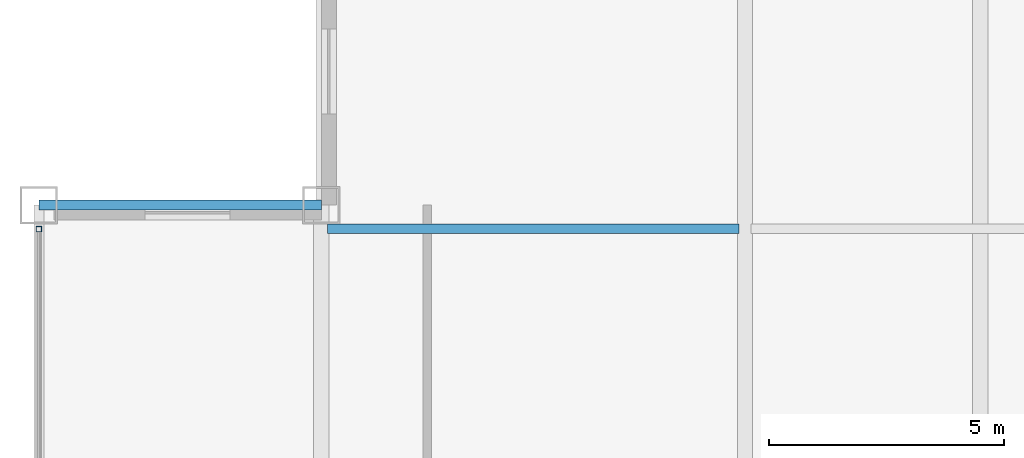
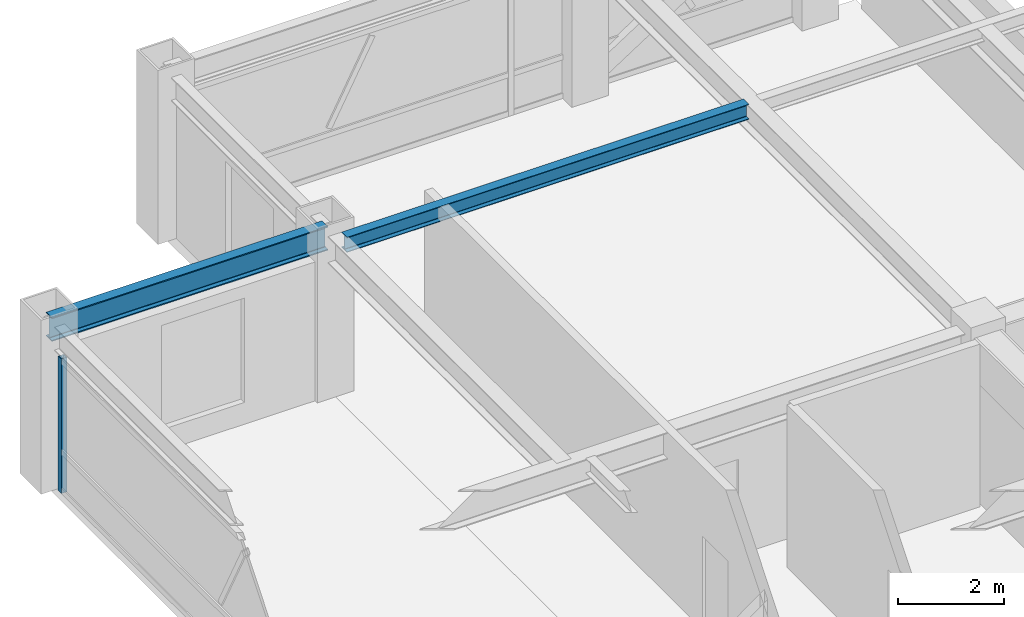
# One storey, part 17 of 29: 2 beams, 1 member, 1 element without a shape of its own.
"""IFC4 building model written with IfcOpenShell, lengths in metres."""

from ifc_helpers import new_model, si_unit, direction, frame, origin, origin_2d, place, context, subcontext, project, spatial, hollow_rectangle, i_section, extrude, source, transform, mapped, material, material_profile, profile_set, type_object, element, aggregate, save


model = new_model("IFC4")

# Units and contexts
model_context = context("Model", 3, precision=1e-05, world=origin(), true_north=direction((0.0, 1.0)))
body_context = subcontext(model_context, "Body", "Model", "MODEL_VIEW")
ifc_project = project(units=[si_unit("LENGTHUNIT", "METRE"), si_unit("AREAUNIT", "SQUARE_METRE"), si_unit("VOLUMEUNIT", "CUBIC_METRE"), si_unit("PLANEANGLEUNIT", "RADIAN"), si_unit("MASSUNIT", "GRAM", prefix="KILO")], contexts=[model_context])

# Site, building, storey
site_placement = place(None, origin())
site = spatial("IfcSite", under=ifc_project, at=site_placement, CompositionType="ELEMENT")
building_placement = place(site_placement, origin())
building = spatial("IfcBuilding", under=site, at=building_placement, Name="Khorayat Bourse Tower", CompositionType="ELEMENT")
storey_placement = place(building_placement, frame((0.0, 0.0, 354.300048828125)))
storey = spatial("IfcBuildingStorey", under=building, at=storey_placement, Name="L84", CompositionType="ELEMENT", Elevation=354.300048828125)

# Beams
ifc_material_1 = material(Name="Steel ASTM A992 Grade 50", Category="steel")
ifc_material_profile_1 = material_profile(ifc_material_1, i_section(OverallWidth=0.214111328125, OverallDepth=0.549072265625, WebThickness=0.0146484375, FlangeThickness=0.023681640625, FilletRadius=0.013916015625, at=origin_2d()), Name="W530X138")
ifc_profile_set_1 = profile_set([ifc_material_profile_1], Name="Steel ASTM A992 Grade 50")
beam_type_1 = type_object("IfcBeamType", Name="BM-SPAN-530", PredefinedType="SPANDREL", material=ifc_profile_set_1)
shared_shape_1 = source(origin(), body_context, "Body", "SweptSolid", [
    extrude(i_section(OverallWidth=0.214111328125, OverallDepth=0.549072265625, WebThickness=0.0146484375, FlangeThickness=0.023681640625, FilletRadius=0.013916015625, at=origin_2d()), origin(), (0.0, 0.0, 1.0), 6.0),
])
beam_1_placement = place(storey_placement, frame((-26.0, 20.0, 3.46533203125), z_axis=(1.0, 0.0, 0.0), x_axis=(0.0, 1.0, 0.0)))
element("IfcBeam", 1, at=beam_1_placement, inside=storey, type_object=beam_type_1, Name="L84 BM-SPAN-530 BM-L84-SPN-047", PredefinedType="SPANDREL", context=body_context, shape_type="MappedRepresentation", body=[
    mapped(shared_shape_1, transform((0.0, 0.0, 0.0), scale=1.0)),
])
ifc_material_profile_2 = material_profile(ifc_material_1, i_section(OverallWidth=0.202880859375, OverallDepth=0.346923828125, WebThickness=0.0078125, FlangeThickness=0.013427734375, FilletRadius=0.010009765625, at=origin_2d()), Name="W360X64")
ifc_profile_set_2 = profile_set([ifc_material_profile_2], Name="Steel ASTM A992 Grade 50")
beam_type_2 = type_object("IfcBeamType", Name="BM-JOIST-360", PredefinedType="JOIST", material=ifc_profile_set_2)
shared_shape_2 = source(origin(), body_context, "Body", "SweptSolid", [
    extrude(i_section(OverallWidth=0.202880859375, OverallDepth=0.346923828125, WebThickness=0.0078125, FlangeThickness=0.013427734375, FilletRadius=0.010009765625, at=origin_2d()), origin(), (0.0, 0.0, 1.0), 8.740234375),
])
beam_2_placement = place(storey_placement, frame((-19.8701171875, 19.5, 3.56640625), z_axis=(1.0, 0.0, 0.0), x_axis=(0.0, 1.0, 0.0)))
element("IfcBeam", 2, at=beam_2_placement, inside=storey, type_object=beam_type_2, Name="L84 BM-JOIST-360 BM-L84-JSTX-083", PredefinedType="JOIST", context=body_context, shape_type="MappedRepresentation", body=[
    mapped(shared_shape_2, transform((0.0, 0.0, 0.0), scale=1.0)),
])

# Curtain wall, member
ifc_material_2 = material(Name="Aluminium EN AW-6063 T6", Category="aluminium")
curtain_wall_type = type_object("IfcCurtainWallType", Name="CW-SYS-06", PredefinedType="NOTDEFINED", material=ifc_material_2)
curtain_wall_placement = place(storey_placement, origin())
curtain_wall = element("IfcCurtainWall", 3, at=curtain_wall_placement, inside=storey, type_object=curtain_wall_type, Name="L84 Curtain Wall CW-L84-W1", PredefinedType="NOTDEFINED")
ifc_material_profile_3 = material_profile(ifc_material_2, hollow_rectangle(XDim=0.1201171875, YDim=0.1201171875, WallThickness=0.0048828125, at=origin_2d()), Name="ALU 120x120x5")
ifc_profile_set_3 = profile_set([ifc_material_profile_3], Name="Aluminium EN AW-6063 T6")
member_type = type_object("IfcMemberType", Name="CWM-VERT-120", PredefinedType="MULLION", material=ifc_profile_set_3)
shared_shape_3 = source(origin(), body_context, "Body", "SweptSolid", [
    extrude(hollow_rectangle(XDim=0.1201171875, YDim=0.1201171875, WallThickness=0.0048828125, at=origin_2d()), origin(), (0.0, 0.0, 1.0), 3.08984375),
])
member_placement = place(storey_placement, frame((-26.0, 19.489990234375, 0.0), z_axis=(0.0, 0.0, 1.0), x_axis=(1.0, 0.0, 0.0)))
member = element("IfcMember", 4, at=member_placement, type_object=member_type, Name="CW-L84-W1 Vertical Mullion 1", PredefinedType="MULLION", context=body_context, shape_type="MappedRepresentation", body=[
    mapped(shared_shape_3, transform((0.0, 0.0, 0.0), scale=1.0)),
])
aggregate(curtain_wall, [member])

save(model, "model.ifc")
